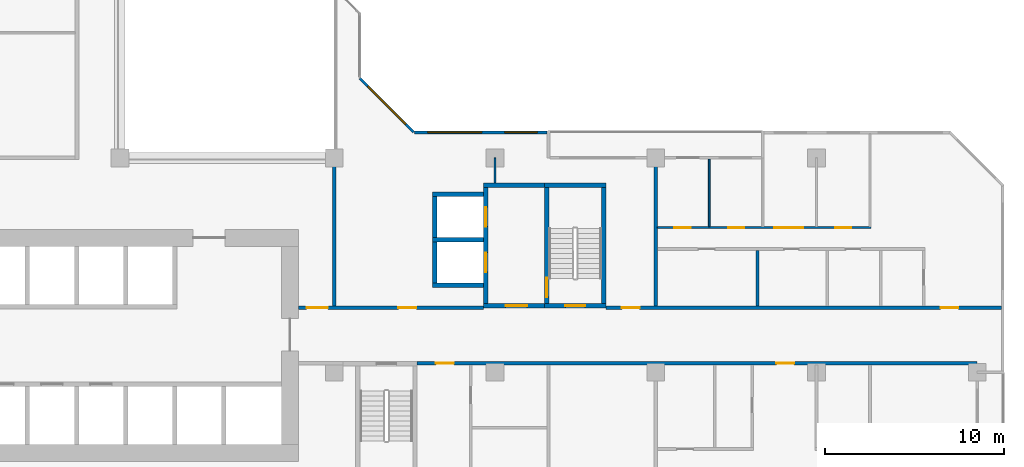
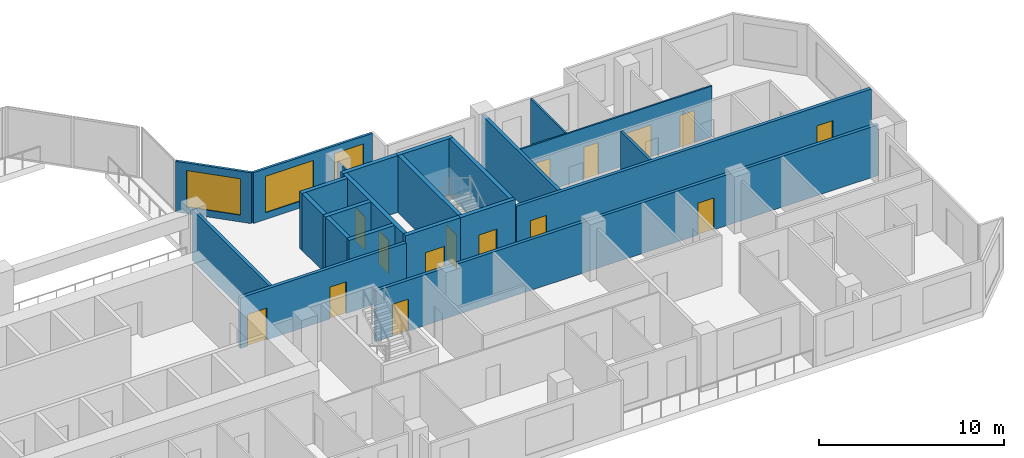
# One storey, part 7 of 15: 23 walls, 15 doors, 3 windows, 18 openings.
"""IFC4 building model written with IfcOpenShell, lengths in metres."""

from ifc_helpers import new_model, si_unit, direction, frame, frame_2d, origin, place, context, subcontext, project, spatial, rectangle, extrude, material, layer, layer_set, type_object, element, fill, save


model = new_model("IFC4")

# Units and contexts
model_context = context("Model", 3, precision=1e-05, world=origin(), true_north=direction((0.0, 1.0)))
body_context = subcontext(model_context, "Body", "Model", "MODEL_VIEW")
ifc_project = project(units=[si_unit("LENGTHUNIT", "METRE"), si_unit("AREAUNIT", "SQUARE_METRE"), si_unit("VOLUMEUNIT", "CUBIC_METRE"), si_unit("PLANEANGLEUNIT", "RADIAN"), si_unit("MASSUNIT", "GRAM", prefix="KILO")], contexts=[model_context])

# Site, building, storey
site_placement = place(None, origin())
site = spatial("IfcSite", under=ifc_project, at=site_placement, CompositionType="ELEMENT")
building_placement = place(site_placement, origin())
building = spatial("IfcBuilding", under=site, at=building_placement, Name="Chenar Terraces", CompositionType="ELEMENT")
storey_placement = place(building_placement, frame((0.0, 0.0, 125.64990234375)))
storey = spatial("IfcBuildingStorey", under=building, at=storey_placement, Name="L29", CompositionType="ELEMENT", Elevation=125.64990234375)

# Wall, opening, door
ifc_material_1 = material(Name="Concrete C70/85", Category="concrete")
ifc_layer_1 = layer(ifc_material_1, 0.25)
ifc_layer_set_1 = layer_set([ifc_layer_1], Name="Concrete C70/85")
wall_type_1 = type_object("IfcWallType", Name="Core wall 250 Concrete C70/85", PredefinedType="SHEAR", material=ifc_layer_set_1)
wall_1_placement = place(storey_placement, frame((47.77490234375, 15.72509765625, 0.0), z_axis=(0.0, 0.0, 1.0), x_axis=(1.0, 0.0, 0.0)))
wall_1 = element("IfcWall", 1, at=wall_1_placement, inside=storey, type_object=wall_type_1, Name="Core wall ST3_S L29", PredefinedType="SHEAR", context=body_context, shape_type="SweptSolid", body=[
    extrude(rectangle(XDim=3.4501953125, YDim=0.25, at=frame_2d((1.72509765625, 0.0))), origin(), (0.0, 0.0, 1.0), 3.75),
])
opening_1_placement = place(wall_1_placement, frame((1.175048828125, 0.0, 0.0)))
opening_1 = element("IfcOpeningElement", 2, at=opening_1_placement, cuts=wall_1, Name="Opening DL29-C8", PredefinedType="OPENING", context=body_context, shape_type="SweptSolid", body=[
    extrude(rectangle(XDim=1.10009765625, YDim=2.199951171875, at=frame_2d((0.550048828125, 1.10009765625))), frame((0.0, 0.135009765625, 0.0), z_axis=(0.0, -1.0, 0.0), x_axis=(1.0, 0.0, 0.0)), (0.0, 0.0, 1.0), 0.27001953125),
])
ifc_material_2 = material(Name="Steel-framed fire-resisting door leaf", Category="steel")
door_type_1 = type_object("IfcDoorType", Name="Stair fire door FD60 1100 x 2200", OperationType="SINGLE_SWING_LEFT", PredefinedType="DOOR", material=ifc_material_2)
door_1_placement = place(opening_1_placement, frame((1.10009765625, 0.0, 0.0), z_axis=(0.0, 0.0, 1.0), x_axis=(-1.0, 0.0, 0.0)))
door_1 = element("IfcDoor", 3, at=door_1_placement, inside=storey, type_object=door_type_1, Name="Stair door DL29-C8", OperationType="SINGLE_SWING_LEFT", OverallHeight=2.199951171875, OverallWidth=1.10009765625, PredefinedType="DOOR", context=body_context, shape_type="SweptSolid", body=[
    extrude(rectangle(XDim=1.10009765625, YDim=2.199951171875, at=frame_2d((0.550048828125, 1.10009765625))), frame((0.0, 0.02490234375, 0.0), z_axis=(0.0, -1.0, 0.0), x_axis=(1.0, 0.0, 0.0)), (0.0, 0.0, 1.0), 0.050048828125),
])
fill(opening_1, door_1)

# Wall
wall_2_placement = place(storey_placement, frame((47.77490234375, 22.47509765625, 0.0), z_axis=(0.0, 0.0, 1.0), x_axis=(1.0, 0.0, 0.0)))
element("IfcWall", 4, at=wall_2_placement, inside=storey, type_object=wall_type_1, Name="Core wall ST3_N L29", PredefinedType="SHEAR", context=body_context, shape_type="SweptSolid", body=[
    extrude(rectangle(XDim=3.4501953125, YDim=0.25, at=frame_2d((1.72509765625, 0.0))), origin(), (0.0, 0.0, 1.0), 3.75),
])

# Wall, opening, door
wall_3_placement = place(storey_placement, frame((47.89990234375, 15.85009765625, 0.0), z_axis=(0.0, 0.0, 1.0), x_axis=(0.0, 1.0, 0.0)))
wall_3 = element("IfcWall", 5, at=wall_3_placement, inside=storey, type_object=wall_type_1, Name="Core wall ST3_W L29", PredefinedType="SHEAR", context=body_context, shape_type="SweptSolid", body=[
    extrude(rectangle(XDim=6.5, YDim=0.25, at=frame_2d((3.25, 0.0))), origin(), (0.0, 0.0, 1.0), 3.75),
])
opening_2_placement = place(wall_3_placement, frame((0.35009765625, 0.0, 0.0)))
opening_2 = element("IfcOpeningElement", 6, at=opening_2_placement, cuts=wall_3, Name="Opening DL29-C11", PredefinedType="OPENING", context=body_context, shape_type="SweptSolid", body=[
    extrude(rectangle(XDim=1.10009765625, YDim=2.199951171875, at=frame_2d((0.550048828125, 1.10009765625))), frame((0.0, 0.135009765625, 0.0), z_axis=(0.0, -1.0, 0.0), x_axis=(1.0, 0.0, 0.0)), (0.0, 0.0, 1.0), 0.27001953125),
])
door_2_placement = place(opening_2_placement, frame((1.10009765625, 0.0, 0.0), z_axis=(0.0, 0.0, 1.0), x_axis=(-1.0, 0.0, 0.0)))
door_2 = element("IfcDoor", 7, at=door_2_placement, inside=storey, type_object=door_type_1, Name="Stair door DL29-C11", OperationType="SINGLE_SWING_RIGHT", OverallHeight=2.199951171875, OverallWidth=1.10009765625, PredefinedType="DOOR", context=body_context, shape_type="SweptSolid", body=[
    extrude(rectangle(XDim=1.10009765625, YDim=2.199951171875, at=frame_2d((0.550048828125, 1.10009765625))), frame((0.0, 0.02490234375, 0.0), z_axis=(0.0, -1.0, 0.0), x_axis=(1.0, 0.0, 0.0)), (0.0, 0.0, 1.0), 0.050048828125),
])
fill(opening_2, door_2)

# Wall
wall_4_placement = place(storey_placement, frame((51.10009765625, 15.85009765625, 0.0), z_axis=(0.0, 0.0, 1.0), x_axis=(0.0, 1.0, 0.0)))
element("IfcWall", 8, at=wall_4_placement, inside=storey, type_object=wall_type_1, Name="Core wall ST3_E L29", PredefinedType="SHEAR", context=body_context, shape_type="SweptSolid", body=[
    extrude(rectangle(XDim=6.5, YDim=0.25, at=frame_2d((3.25, 0.0))), origin(), (0.0, 0.0, 1.0), 3.75),
])

# Wall, opening, door
wall_5_placement = place(storey_placement, frame((44.35009765625, 15.72509765625, 0.0), z_axis=(0.0, 0.0, 1.0), x_axis=(1.0, 0.0, 0.0)))
wall_5 = element("IfcWall", 9, at=wall_5_placement, inside=storey, type_object=wall_type_1, Name="Core wall F3_LS L29", PredefinedType="SHEAR", context=body_context, shape_type="SweptSolid", body=[
    extrude(rectangle(XDim=3.4248046875, YDim=0.25, at=frame_2d((1.71240234375, 0.0))), origin(), (0.0, 0.0, 1.0), 3.75),
])
opening_3_placement = place(wall_5_placement, frame((1.25, 0.0, 0.0)))
opening_3 = element("IfcOpeningElement", 10, at=opening_3_placement, cuts=wall_5, Name="Opening DL29-C10", PredefinedType="OPENING", context=body_context, shape_type="SweptSolid", body=[
    extrude(rectangle(XDim=1.199951171875, YDim=2.199951171875, at=frame_2d((0.60009765625, 1.10009765625))), frame((0.0, 0.135009765625, 0.0), z_axis=(0.0, -1.0, 0.0), x_axis=(1.0, 0.0, 0.0)), (0.0, 0.0, 1.0), 0.27001953125),
])
ifc_material_3 = material(Name="Steel-framed fire-resisting door leaf", Category="steel")
door_type_2 = type_object("IfcDoorType", Name="Lobby fire door FD60 1200 x 2200", OperationType="SINGLE_SWING_LEFT", PredefinedType="DOOR", material=ifc_material_3)
door_3_placement = place(opening_3_placement, origin())
door_3 = element("IfcDoor", 11, at=door_3_placement, inside=storey, type_object=door_type_2, Name="Core door DL29-C10", OperationType="SINGLE_SWING_RIGHT", OverallHeight=2.199951171875, OverallWidth=1.199951171875, PredefinedType="DOOR", context=body_context, shape_type="SweptSolid", body=[
    extrude(rectangle(XDim=1.199951171875, YDim=2.199951171875, at=frame_2d((0.60009765625, 1.10009765625))), frame((0.0, 0.02490234375, 0.0), z_axis=(0.0, -1.0, 0.0), x_axis=(1.0, 0.0, 0.0)), (0.0, 0.0, 1.0), 0.050048828125),
])
fill(opening_3, door_3)

# Wall
wall_6_placement = place(storey_placement, frame((44.35009765625, 22.47509765625, 0.0), z_axis=(0.0, 0.0, 1.0), x_axis=(1.0, 0.0, 0.0)))
element("IfcWall", 12, at=wall_6_placement, inside=storey, type_object=wall_type_1, Name="Core wall F3_LN L29", PredefinedType="SHEAR", context=body_context, shape_type="SweptSolid", body=[
    extrude(rectangle(XDim=3.4248046875, YDim=0.25, at=frame_2d((1.71240234375, 0.0))), origin(), (0.0, 0.0, 1.0), 3.75),
])

# Wall, openings, doors
wall_7_placement = place(storey_placement, frame((44.47509765625, 15.85009765625, 0.0), z_axis=(0.0, 0.0, 1.0), x_axis=(0.0, 1.0, 0.0)))
wall_7 = element("IfcWall", 13, at=wall_7_placement, inside=storey, type_object=wall_type_1, Name="Core wall F3_LW L29", PredefinedType="SHEAR", context=body_context, shape_type="SweptSolid", body=[
    extrude(rectangle(XDim=6.5, YDim=0.25, at=frame_2d((3.25, 0.0))), origin(), (0.0, 0.0, 1.0), 3.75),
])
opening_4_placement = place(wall_7_placement, frame((1.75, 0.0, 0.0)))
opening_4 = element("IfcOpeningElement", 14, at=opening_4_placement, cuts=wall_7, Name="Opening DL29-LD8", PredefinedType="OPENING", context=body_context, shape_type="SweptSolid", body=[
    extrude(rectangle(XDim=1.10009765625, YDim=2.199951171875, at=frame_2d((0.550048828125, 1.10009765625))), frame((0.0, 0.135009765625, 0.0), z_axis=(0.0, -1.0, 0.0), x_axis=(1.0, 0.0, 0.0)), (0.0, 0.0, 1.0), 0.27001953125),
])
opening_5_placement = place(wall_7_placement, frame((4.300048828125, 0.0, 0.0)))
opening_5 = element("IfcOpeningElement", 15, at=opening_5_placement, cuts=wall_7, Name="Opening DL29-LD9", PredefinedType="OPENING", context=body_context, shape_type="SweptSolid", body=[
    extrude(rectangle(XDim=1.10009765625, YDim=2.199951171875, at=frame_2d((0.550048828125, 1.10009765625))), frame((0.0, 0.135009765625, 0.0), z_axis=(0.0, -1.0, 0.0), x_axis=(1.0, 0.0, 0.0)), (0.0, 0.0, 1.0), 0.27001953125),
])
ifc_material_4 = material(Name="Stainless steel", Category="steel")
door_type_3 = type_object("IfcDoorType", Name="Lift landing door 1100 x 2200 sliding", OperationType="DOUBLE_DOOR_SLIDING", PredefinedType="DOOR", material=ifc_material_4)
door_4_placement = place(opening_4_placement, origin())
door_4 = element("IfcDoor", 16, at=door_4_placement, inside=storey, type_object=door_type_3, Name="Landing door F3", OperationType="DOUBLE_DOOR_SLIDING", OverallHeight=2.199951171875, OverallWidth=1.10009765625, PredefinedType="DOOR", context=body_context, shape_type="SweptSolid", body=[
    extrude(rectangle(XDim=1.10009765625, YDim=2.199951171875, at=frame_2d((0.550048828125, 1.10009765625))), frame((0.0, 0.02490234375, 0.0), z_axis=(0.0, -1.0, 0.0), x_axis=(1.0, 0.0, 0.0)), (0.0, 0.0, 1.0), 0.050048828125),
])
fill(opening_4, door_4)
door_5_placement = place(opening_5_placement, origin())
door_5 = element("IfcDoor", 17, at=door_5_placement, inside=storey, type_object=door_type_3, Name="Landing door F4", OperationType="DOUBLE_DOOR_SLIDING", OverallHeight=2.199951171875, OverallWidth=1.10009765625, PredefinedType="DOOR", context=body_context, shape_type="SweptSolid", body=[
    extrude(rectangle(XDim=1.10009765625, YDim=2.199951171875, at=frame_2d((0.550048828125, 1.10009765625))), frame((0.0, 0.02490234375, 0.0), z_axis=(0.0, -1.0, 0.0), x_axis=(1.0, 0.0, 0.0)), (0.0, 0.0, 1.0), 0.050048828125),
])
fill(opening_5, door_5)

# Walls
for number, where, z_axis, x_axis, name in (
    (18, (41.5, 16.875, 0.0), (0.0, 0.0, 1.0), (1.0, 0.0, 0.0), "Core wall F3_SS L29"),
    (19, (41.5, 19.425048828125, 0.0), (0.0, 0.0, 1.0), (1.0, 0.0, 0.0), "Core wall F3_SM L29"),
    (20, (41.5, 21.97509765625, 0.0), (0.0, 0.0, 1.0), (1.0, 0.0, 0.0), "Core wall F4_SN L29"),
):
    element("IfcWall", number, at=place(storey_placement, frame(where, z_axis=z_axis, x_axis=x_axis)), inside=storey, type_object=wall_type_1, Name=name, PredefinedType="SHEAR", context=body_context, shape_type="SweptSolid", body=[
        extrude(rectangle(XDim=2.85009765625, YDim=0.25, at=frame_2d((1.425048828125, 0.0))), origin(), (0.0, 0.0, 1.0), 3.75),
    ])
for number, where, z_axis, x_axis, name in (
    (21, (41.625, 17.0, 0.0), (0.0, 0.0, 1.0), (0.0, 1.0, 0.0), "Core wall F3_SW L29"),
    (22, (41.625, 19.550048828125, 0.0), (0.0, 0.0, 1.0), (0.0, 1.0, 0.0), "Core wall F4_SW L29"),
):
    element("IfcWall", number, at=place(storey_placement, frame(where, z_axis=z_axis, x_axis=x_axis)), inside=storey, type_object=wall_type_1, Name=name, PredefinedType="SHEAR", context=body_context, shape_type="SweptSolid", body=[
        extrude(rectangle(XDim=2.300048828125, YDim=0.25, at=frame_2d((1.14990234375, 0.0))), origin(), (0.0, 0.0, 1.0), 3.75),
    ])

# Wall, openings, doors
ifc_material_5 = material(Name="Gypsum board on steel studs with fire boards", Category="steel")
ifc_layer_2 = layer(ifc_material_5, 0.199951171875)
ifc_layer_set_2 = layer_set([ifc_layer_2], Name="Gypsum board on steel studs with fire boards")
wall_type_2 = type_object("IfcWallType", Name="Corridor wall 200", PredefinedType="PARTITIONING", material=ifc_layer_set_2)
wall_8_placement = place(storey_placement, frame((34.0, 15.60009765625, 0.0), z_axis=(0.0, 0.0, 1.0), x_axis=(1.0, 0.0, 0.0)))
wall_8 = element("IfcWall", 23, at=wall_8_placement, inside=storey, type_object=wall_type_2, Name="Partition L29-064", PredefinedType="PARTITIONING", context=body_context, shape_type="SweptSolid", body=[
    extrude(rectangle(XDim=10.35009765625, YDim=0.199951171875, at=frame_2d((5.175048828125, 0.0))), origin(), (0.0, 0.0, 1.0), 3.35009765625),
])
opening_6_placement = place(wall_8_placement, frame((5.60009765625, 0.0, 0.0)))
opening_6 = element("IfcOpeningElement", 24, at=opening_6_placement, cuts=wall_8, Name="Opening DL29-3", PredefinedType="OPENING", context=body_context, shape_type="SweptSolid", body=[
    extrude(rectangle(XDim=1.0, YDim=2.10009765625, at=frame_2d((0.5, 1.050048828125))), frame((0.0, 0.10986328125, 0.0), z_axis=(0.0, -1.0, 0.0), x_axis=(1.0, 0.0, 0.0)), (0.0, 0.0, 1.0), 0.219970703125),
])
opening_7_placement = place(wall_8_placement, frame((0.449951171875, 0.0, 0.0)))
opening_7 = element("IfcOpeningElement", 25, at=opening_7_placement, cuts=wall_8, Name="Opening DL29-49", PredefinedType="OPENING", context=body_context, shape_type="SweptSolid", body=[
    extrude(rectangle(XDim=1.199951171875, YDim=2.10009765625, at=frame_2d((0.60009765625, 1.050048828125))), frame((0.0, 0.10986328125, 0.0), z_axis=(0.0, -1.0, 0.0), x_axis=(1.0, 0.0, 0.0)), (0.0, 0.0, 1.0), 0.219970703125),
])
ifc_material_6 = material(Name="Steel-framed fire-resisting door leaf", Category="steel")
door_type_4 = type_object("IfcDoorType", Name="Fire door FD60 1000 x 2100", OperationType="SINGLE_SWING_LEFT", PredefinedType="DOOR", material=ifc_material_6)
door_6_placement = place(opening_6_placement, origin())
door_6 = element("IfcDoor", 26, at=door_6_placement, inside=storey, type_object=door_type_4, Name="Door DL29-3", OperationType="SINGLE_SWING_RIGHT", OverallHeight=2.10009765625, OverallWidth=1.0, PredefinedType="DOOR", context=body_context, shape_type="SweptSolid", body=[
    extrude(rectangle(XDim=1.0, YDim=2.10009765625, at=frame_2d((0.5, 1.050048828125))), frame((0.0, 0.02490234375, 0.0), z_axis=(0.0, -1.0, 0.0), x_axis=(1.0, 0.0, 0.0)), (0.0, 0.0, 1.0), 0.050048828125),
])
fill(opening_6, door_6)
ifc_material_7 = material(Name="Steel-framed fire-resisting door leaf", Category="steel")
door_type_5 = type_object("IfcDoorType", Name="Fire door FD60 1200 x 2100", OperationType="SINGLE_SWING_LEFT", PredefinedType="DOOR", material=ifc_material_7)
door_7_placement = place(opening_7_placement, origin())
door_7 = element("IfcDoor", 27, at=door_7_placement, inside=storey, type_object=door_type_5, Name="Door DL29-49", OperationType="SINGLE_SWING_RIGHT", OverallHeight=2.10009765625, OverallWidth=1.199951171875, PredefinedType="DOOR", context=body_context, shape_type="SweptSolid", body=[
    extrude(rectangle(XDim=1.199951171875, YDim=2.10009765625, at=frame_2d((0.60009765625, 1.050048828125))), frame((0.0, 0.02490234375, 0.0), z_axis=(0.0, -1.0, 0.0), x_axis=(1.0, 0.0, 0.0)), (0.0, 0.0, 1.0), 0.050048828125),
])
fill(opening_7, door_7)

# Wall
wall_9_placement = place(storey_placement, frame((36.0, 15.699951171875, 0.0), z_axis=(0.0, 0.0, 1.0), x_axis=(0.0, 1.0, 0.0)))
element("IfcWall", 28, at=wall_9_placement, inside=storey, type_object=wall_type_2, Name="Partition L29-066", PredefinedType="PARTITIONING", context=body_context, shape_type="SweptSolid", body=[
    extrude(rectangle(XDim=8.300048828125, YDim=0.199951171875, at=frame_2d((4.14990234375, 0.0))), origin(), (0.0, 0.0, 1.0), 3.35009765625),
])

# Wall, openings, doors
wall_10_placement = place(storey_placement, frame((40.64990234375, 12.5, 0.0), z_axis=(0.0, 0.0, 1.0), x_axis=(1.0, 0.0, 0.0)))
wall_10 = element("IfcWall", 29, at=wall_10_placement, inside=storey, type_object=wall_type_2, Name="Partition L29-068", PredefinedType="PARTITIONING", context=body_context, shape_type="SweptSolid", body=[
    extrude(rectangle(XDim=31.35009765625, YDim=0.199951171875, at=frame_2d((15.675048828125, 0.0))), origin(), (0.0, 0.0, 1.0), 3.35009765625),
])
opening_8_placement = place(wall_10_placement, frame((20.10009765625, 0.0, 0.0)))
opening_8 = element("IfcOpeningElement", 30, at=opening_8_placement, cuts=wall_10, Name="Opening DL29-17", PredefinedType="OPENING", context=body_context, shape_type="SweptSolid", body=[
    extrude(rectangle(XDim=1.0, YDim=2.10009765625, at=frame_2d((0.5, 1.050048828125))), frame((0.0, 0.10986328125, 0.0), z_axis=(0.0, -1.0, 0.0), x_axis=(1.0, 0.0, 0.0)), (0.0, 0.0, 1.0), 0.219970703125),
])
opening_9_placement = place(wall_10_placement, frame((1.050048828125, 0.0, 0.0)))
opening_9 = element("IfcOpeningElement", 31, at=opening_9_placement, cuts=wall_10, Name="Opening DL29-66", PredefinedType="OPENING", context=body_context, shape_type="SweptSolid", body=[
    extrude(rectangle(XDim=1.0, YDim=2.10009765625, at=frame_2d((0.5, 1.050048828125))), frame((0.0, 0.10986328125, 0.0), z_axis=(0.0, -1.0, 0.0), x_axis=(1.0, 0.0, 0.0)), (0.0, 0.0, 1.0), 0.219970703125),
])
ifc_material_8 = material(Name="Steel-framed fire-resisting door leaf", Category="steel")
door_type_6 = type_object("IfcDoorType", Name="Fire door FD30S 1000 x 2100", OperationType="SINGLE_SWING_LEFT", PredefinedType="DOOR", material=ifc_material_8)
door_8_placement = place(opening_8_placement, frame((1.0, 0.0, 0.0), z_axis=(0.0, 0.0, 1.0), x_axis=(-1.0, 0.0, 0.0)))
door_8 = element("IfcDoor", 32, at=door_8_placement, inside=storey, type_object=door_type_6, Name="Door DL29-17", OperationType="SINGLE_SWING_LEFT", OverallHeight=2.10009765625, OverallWidth=1.0, PredefinedType="DOOR", context=body_context, shape_type="SweptSolid", body=[
    extrude(rectangle(XDim=1.0, YDim=2.10009765625, at=frame_2d((0.5, 1.050048828125))), frame((0.0, 0.02490234375, 0.0), z_axis=(0.0, -1.0, 0.0), x_axis=(1.0, 0.0, 0.0)), (0.0, 0.0, 1.0), 0.050048828125),
])
fill(opening_8, door_8)
door_9_placement = place(opening_9_placement, origin())
door_9 = element("IfcDoor", 33, at=door_9_placement, inside=storey, type_object=door_type_6, Name="Door DL29-66", OperationType="SINGLE_SWING_RIGHT", OverallHeight=2.10009765625, OverallWidth=1.0, PredefinedType="DOOR", context=body_context, shape_type="SweptSolid", body=[
    extrude(rectangle(XDim=1.0, YDim=2.10009765625, at=frame_2d((0.5, 1.050048828125))), frame((0.0, 0.02490234375, 0.0), z_axis=(0.0, -1.0, 0.0), x_axis=(1.0, 0.0, 0.0)), (0.0, 0.0, 1.0), 0.050048828125),
])
fill(opening_9, door_9)

wall_11_placement = place(storey_placement, frame((51.22509765625, 15.60009765625, 0.0), z_axis=(0.0, 0.0, 1.0), x_axis=(1.0, 0.0, 0.0)))
wall_11 = element("IfcWall", 34, at=wall_11_placement, inside=storey, type_object=wall_type_2, Name="Partition L29-076", PredefinedType="PARTITIONING", context=body_context, shape_type="SweptSolid", body=[
    extrude(rectangle(XDim=22.125, YDim=0.199951171875, at=frame_2d((11.0625, 0.0))), origin(), (0.0, 0.0, 1.0), 3.35009765625),
])
opening_10_placement = place(wall_11_placement, frame((18.72509765625, 0.0, 0.0)))
opening_10 = element("IfcOpeningElement", 35, at=opening_10_placement, cuts=wall_11, Name="Opening DL29-8", PredefinedType="OPENING", context=body_context, shape_type="SweptSolid", body=[
    extrude(rectangle(XDim=1.0, YDim=2.10009765625, at=frame_2d((0.5, 1.050048828125))), frame((0.0, 0.10986328125, 0.0), z_axis=(0.0, -1.0, 0.0), x_axis=(1.0, 0.0, 0.0)), (0.0, 0.0, 1.0), 0.219970703125),
])
opening_11_placement = place(wall_11_placement, frame((0.875, 0.0, 0.0)))
opening_11 = element("IfcOpeningElement", 36, at=opening_11_placement, cuts=wall_11, Name="Opening DL29-52", PredefinedType="OPENING", context=body_context, shape_type="SweptSolid", body=[
    extrude(rectangle(XDim=1.0, YDim=2.10009765625, at=frame_2d((0.5, 1.050048828125))), frame((0.0, 0.10986328125, 0.0), z_axis=(0.0, -1.0, 0.0), x_axis=(1.0, 0.0, 0.0)), (0.0, 0.0, 1.0), 0.219970703125),
])
door_10_placement = place(opening_10_placement, origin())
door_10 = element("IfcDoor", 37, at=door_10_placement, inside=storey, type_object=door_type_6, Name="Door DL29-8", OperationType="SINGLE_SWING_LEFT", OverallHeight=2.10009765625, OverallWidth=1.0, PredefinedType="DOOR", context=body_context, shape_type="SweptSolid", body=[
    extrude(rectangle(XDim=1.0, YDim=2.10009765625, at=frame_2d((0.5, 1.050048828125))), frame((0.0, 0.02490234375, 0.0), z_axis=(0.0, -1.0, 0.0), x_axis=(1.0, 0.0, 0.0)), (0.0, 0.0, 1.0), 0.050048828125),
])
fill(opening_10, door_10)
door_11_placement = place(opening_11_placement, origin())
door_11 = element("IfcDoor", 38, at=door_11_placement, inside=storey, type_object=door_type_6, Name="Door DL29-52", OperationType="SINGLE_SWING_RIGHT", OverallHeight=2.10009765625, OverallWidth=1.0, PredefinedType="DOOR", context=body_context, shape_type="SweptSolid", body=[
    extrude(rectangle(XDim=1.0, YDim=2.10009765625, at=frame_2d((0.5, 1.050048828125))), frame((0.0, 0.02490234375, 0.0), z_axis=(0.0, -1.0, 0.0), x_axis=(1.0, 0.0, 0.0)), (0.0, 0.0, 1.0), 0.050048828125),
])
fill(opening_11, door_11)

# Wall, openings, windows
ifc_material_9 = material(Name="Aluminium framed glazing", Category="aluminium")
ifc_layer_3 = layer(ifc_material_9, 0.14990234375)
ifc_layer_set_3 = layer_set([ifc_layer_3], Name="Aluminium framed glazing")
wall_type_3 = type_object("IfcWallType", Name="Glazed flush facade wall 150", PredefinedType="SOLIDWALL", material=ifc_layer_set_3)
wall_12_placement = place(storey_placement, frame((47.925048828125, 25.425048828125, 0.0), z_axis=(0.0, 0.0, 1.0), x_axis=(-1.0, 0.0, 0.0)))
wall_12 = element("IfcWall", 39, at=wall_12_placement, inside=storey, type_object=wall_type_3, Name="Glazed flush facade wall", PredefinedType="SOLIDWALL", context=body_context, shape_type="SweptSolid", body=[
    extrude(rectangle(XDim=7.425048828125, YDim=0.14990234375, at=frame_2d((3.71240234375, 0.0))), origin(), (0.0, 0.0, 1.0), 3.35009765625),
])
opening_12_placement = place(wall_12_placement, frame((0.5625, 0.0, 0.449951171875)))
opening_12 = element("IfcOpeningElement", 40, at=opening_12_placement, cuts=wall_12, Name="Opening W180x240", PredefinedType="OPENING", context=body_context, shape_type="SweptSolid", body=[
    extrude(rectangle(XDim=1.800048828125, YDim=2.39990234375, at=frame_2d((0.89990234375, 1.199951171875))), frame((0.0, 0.0849609375, 0.0), z_axis=(0.0, -1.0, 0.0), x_axis=(1.0, 0.0, 0.0)), (0.0, 0.0, 1.0), 0.169921875),
])
opening_13_placement = place(wall_12_placement, frame((3.675048828125, 0.0, 0.449951171875)))
opening_13 = element("IfcOpeningElement", 41, at=opening_13_placement, cuts=wall_12, Name="Opening W300x240", PredefinedType="OPENING", context=body_context, shape_type="SweptSolid", body=[
    extrude(rectangle(XDim=3.0, YDim=2.39990234375, at=frame_2d((1.5, 1.199951171875))), frame((0.0, 0.0849609375, 0.0), z_axis=(0.0, -1.0, 0.0), x_axis=(1.0, 0.0, 0.0)), (0.0, 0.0, 1.0), 0.169921875),
])
ifc_material_10 = material(Name="Low emissivity double glazing, aluminium frame", Category="aluminium")
window_type_1 = type_object("IfcWindowType", Name="Fixed light 1800 x 2400", PartitioningType="SINGLE_PANEL", PredefinedType="WINDOW", material=ifc_material_10)
window_1_placement = place(opening_12_placement, origin())
window_1 = element("IfcWindow", 42, at=window_1_placement, inside=storey, type_object=window_type_1, Name="Window", OverallHeight=2.39990234375, OverallWidth=1.800048828125, PartitioningType="SINGLE_PANEL", PredefinedType="WINDOW", context=body_context, shape_type="SweptSolid", body=[
    extrude(rectangle(XDim=1.800048828125, YDim=2.39990234375, at=frame_2d((0.89990234375, 1.199951171875))), frame((0.0, 0.030029296875, 0.0), z_axis=(0.0, -1.0, 0.0), x_axis=(1.0, 0.0, 0.0)), (0.0, 0.0, 1.0), 0.06005859375),
])
fill(opening_12, window_1)
ifc_material_11 = material(Name="Low emissivity double glazing, aluminium frame", Category="aluminium")
window_type_2 = type_object("IfcWindowType", Name="Fixed light 3000 x 2400", PartitioningType="SINGLE_PANEL", PredefinedType="WINDOW", material=ifc_material_11)
window_2_placement = place(opening_13_placement, origin())
window_2 = element("IfcWindow", 43, at=window_2_placement, inside=storey, type_object=window_type_2, Name="Window", OverallHeight=2.39990234375, OverallWidth=3.0, PartitioningType="SINGLE_PANEL", PredefinedType="WINDOW", context=body_context, shape_type="SweptSolid", body=[
    extrude(rectangle(XDim=3.0, YDim=2.39990234375, at=frame_2d((1.5, 1.199951171875))), frame((0.0, 0.030029296875, 0.0), z_axis=(0.0, -1.0, 0.0), x_axis=(1.0, 0.0, 0.0)), (0.0, 0.0, 1.0), 0.06005859375),
])
fill(opening_13, window_2)

# Wall
ifc_material_12 = material(Name="Gypsum board on steel studs", Category="steel")
ifc_layer_4 = layer(ifc_material_12, 0.10009765625)
ifc_layer_set_4 = layer_set([ifc_layer_4], Name="Gypsum board on steel studs")
wall_type_4 = type_object("IfcWallType", Name="Gypsum partition 100", PredefinedType="PARTITIONING", material=ifc_layer_set_4)
wall_13_placement = place(storey_placement, frame((45.0, 22.60009765625, 0.0), z_axis=(0.0, 0.0, 1.0), x_axis=(0.0, 1.0, 0.0)))
element("IfcWall", 44, at=wall_13_placement, inside=storey, type_object=wall_type_4, Name="Partition L29-072", PredefinedType="PARTITIONING", context=body_context, shape_type="SweptSolid", body=[
    extrude(rectangle(XDim=1.39990234375, YDim=0.10009765625, at=frame_2d((0.699951171875, 0.0))), origin(), (0.0, 0.0, 1.0), 3.35009765625),
])

# Wall, openings, doors
wall_14_placement = place(storey_placement, frame((54.10009765625, 20.10009765625, 0.0), z_axis=(0.0, 0.0, 1.0), x_axis=(1.0, 0.0, 0.0)))
wall_14 = element("IfcWall", 45, at=wall_14_placement, inside=storey, type_object=wall_type_4, Name="Partition L29-081", PredefinedType="PARTITIONING", context=body_context, shape_type="SweptSolid", body=[
    extrude(rectangle(XDim=11.949951171875, YDim=0.10009765625, at=frame_2d((5.97509765625, 0.0))), origin(), (0.0, 0.0, 1.0), 3.35009765625),
])
opening_14_placement = place(wall_14_placement, frame((0.949951171875, 0.0, 0.0)))
opening_14 = element("IfcOpeningElement", 46, at=opening_14_placement, cuts=wall_14, Name="Opening DL29-5", PredefinedType="OPENING", context=body_context, shape_type="SweptSolid", body=[
    extrude(rectangle(XDim=0.89990234375, YDim=2.10009765625, at=frame_2d((0.449951171875, 1.050048828125))), frame((0.0, 0.06005859375, 0.0), z_axis=(0.0, -1.0, 0.0), x_axis=(1.0, 0.0, 0.0)), (0.0, 0.0, 1.0), 0.1201171875),
])
opening_15_placement = place(wall_14_placement, frame((3.949951171875, 0.0, 0.0)))
opening_15 = element("IfcOpeningElement", 47, at=opening_15_placement, cuts=wall_14, Name="Opening DL29-6", PredefinedType="OPENING", context=body_context, shape_type="SweptSolid", body=[
    extrude(rectangle(XDim=0.89990234375, YDim=2.10009765625, at=frame_2d((0.449951171875, 1.050048828125))), frame((0.0, 0.06005859375, 0.0), z_axis=(0.0, -1.0, 0.0), x_axis=(1.0, 0.0, 0.0)), (0.0, 0.0, 1.0), 0.1201171875),
])
opening_16_placement = place(wall_14_placement, frame((6.550048828125, 0.0, 0.0)))
opening_16 = element("IfcOpeningElement", 48, at=opening_16_placement, cuts=wall_14, Name="Opening DL29-9", PredefinedType="OPENING", context=body_context, shape_type="SweptSolid", body=[
    extrude(rectangle(XDim=1.60009765625, YDim=2.10009765625, at=frame_2d((0.800048828125, 1.050048828125))), frame((0.0, 0.06005859375, 0.0), z_axis=(0.0, -1.0, 0.0), x_axis=(1.0, 0.0, 0.0)), (0.0, 0.0, 1.0), 0.1201171875),
])
opening_17_placement = place(wall_14_placement, frame((9.949951171875, 0.0, 0.0)))
opening_17 = element("IfcOpeningElement", 49, at=opening_17_placement, cuts=wall_14, Name="Opening DL29-10", PredefinedType="OPENING", context=body_context, shape_type="SweptSolid", body=[
    extrude(rectangle(XDim=0.89990234375, YDim=2.10009765625, at=frame_2d((0.449951171875, 1.050048828125))), frame((0.0, 0.06005859375, 0.0), z_axis=(0.0, -1.0, 0.0), x_axis=(1.0, 0.0, 0.0)), (0.0, 0.0, 1.0), 0.1201171875),
])
ifc_material_13 = material(Name="Veneered timber door leaf", Category="wood")
door_type_7 = type_object("IfcDoorType", Name="Door 900 x 2100", OperationType="SINGLE_SWING_LEFT", PredefinedType="DOOR", material=ifc_material_13)
door_12_placement = place(opening_14_placement, origin())
door_12 = element("IfcDoor", 50, at=door_12_placement, inside=storey, type_object=door_type_7, Name="Door DL29-5", OperationType="SINGLE_SWING_RIGHT", OverallHeight=2.10009765625, OverallWidth=0.89990234375, PredefinedType="DOOR", context=body_context, shape_type="SweptSolid", body=[
    extrude(rectangle(XDim=0.89990234375, YDim=2.10009765625, at=frame_2d((0.449951171875, 1.050048828125))), frame((0.0, 0.02490234375, 0.0), z_axis=(0.0, -1.0, 0.0), x_axis=(1.0, 0.0, 0.0)), (0.0, 0.0, 1.0), 0.050048828125),
])
fill(opening_14, door_12)
door_13_placement = place(opening_15_placement, origin())
door_13 = element("IfcDoor", 51, at=door_13_placement, inside=storey, type_object=door_type_7, Name="Door DL29-6", OperationType="SINGLE_SWING_RIGHT", OverallHeight=2.10009765625, OverallWidth=0.89990234375, PredefinedType="DOOR", context=body_context, shape_type="SweptSolid", body=[
    extrude(rectangle(XDim=0.89990234375, YDim=2.10009765625, at=frame_2d((0.449951171875, 1.050048828125))), frame((0.0, 0.02490234375, 0.0), z_axis=(0.0, -1.0, 0.0), x_axis=(1.0, 0.0, 0.0)), (0.0, 0.0, 1.0), 0.050048828125),
])
fill(opening_15, door_13)
door_14_placement = place(opening_17_placement, origin())
door_14 = element("IfcDoor", 52, at=door_14_placement, inside=storey, type_object=door_type_7, Name="Door DL29-10", OperationType="SINGLE_SWING_RIGHT", OverallHeight=2.10009765625, OverallWidth=0.89990234375, PredefinedType="DOOR", context=body_context, shape_type="SweptSolid", body=[
    extrude(rectangle(XDim=0.89990234375, YDim=2.10009765625, at=frame_2d((0.449951171875, 1.050048828125))), frame((0.0, 0.02490234375, 0.0), z_axis=(0.0, -1.0, 0.0), x_axis=(1.0, 0.0, 0.0)), (0.0, 0.0, 1.0), 0.050048828125),
])
fill(opening_17, door_14)
ifc_material_14 = material(Name="Veneered timber door leaf", Category="wood")
door_type_8 = type_object("IfcDoorType", Name="Double door 1600 x 2100", OperationType="DOUBLE_DOOR_SINGLE_SWING", PredefinedType="DOOR", material=ifc_material_14)
door_15_placement = place(opening_16_placement, origin())
door_15 = element("IfcDoor", 53, at=door_15_placement, inside=storey, type_object=door_type_8, Name="Door DL29-9", OperationType="DOUBLE_DOOR_SINGLE_SWING", OverallHeight=2.10009765625, OverallWidth=1.60009765625, PredefinedType="DOOR", context=body_context, shape_type="SweptSolid", body=[
    extrude(rectangle(XDim=1.60009765625, YDim=2.10009765625, at=frame_2d((0.800048828125, 1.050048828125))), frame((0.0, 0.02490234375, 0.0), z_axis=(0.0, -1.0, 0.0), x_axis=(1.0, 0.0, 0.0)), (0.0, 0.0, 1.0), 0.050048828125),
])
fill(opening_16, door_15)

# Wall
wall_15_placement = place(storey_placement, frame((57.0, 20.14990234375, 0.0), z_axis=(0.0, 0.0, 1.0), x_axis=(0.0, 1.0, 0.0)))
element("IfcWall", 54, at=wall_15_placement, inside=storey, type_object=wall_type_4, Name="Partition L29-082", PredefinedType="PARTITIONING", context=body_context, shape_type="SweptSolid", body=[
    extrude(rectangle(XDim=3.776123046875, YDim=0.10009765625, at=frame_2d((1.88818359375, 0.0))), origin(), (0.0, 0.0, 1.0), 3.35009765625),
])

# Wall, opening, window
ifc_material_15 = material(Name="Terracotta cladding on insulated backing", Category="masonry")
ifc_layer_5 = layer(ifc_material_15, 0.14990234375)
ifc_layer_set_5 = layer_set([ifc_layer_5], Name="Terracotta cladding on insulated backing")
wall_type_5 = type_object("IfcWallType", Name="Terracotta rainscreen wall 150", PredefinedType="SOLIDWALL", material=ifc_layer_set_5)
wall_16_placement = place(storey_placement, frame((40.447021484375, 25.447021484375, 0.0), z_axis=(0.0, 0.0, 1.0), x_axis=(-0.707106781187, 0.707106781187, 0.0)))
wall_16 = element("IfcWall", 55, at=wall_16_placement, inside=storey, type_object=wall_type_5, Name="Terracotta rainscreen wall", PredefinedType="SOLIDWALL", context=body_context, shape_type="SweptSolid", body=[
    extrude(rectangle(XDim=4.24267578125, YDim=0.14990234375, at=frame_2d((2.121337890625, 0.0))), origin(), (0.0, 0.0, 1.0), 3.35009765625),
])
opening_18_placement = place(wall_16_placement, frame((0.621337890625, 0.0, 0.449951171875)))
opening_18 = element("IfcOpeningElement", 56, at=opening_18_placement, cuts=wall_16, Name="Opening W300x240", PredefinedType="OPENING", context=body_context, shape_type="SweptSolid", body=[
    extrude(rectangle(XDim=3.0, YDim=2.39990234375, at=frame_2d((1.5, 1.199951171875))), frame((0.0, 0.0849609375, 0.0), z_axis=(0.0, -1.0, 0.0), x_axis=(1.0, 0.0, 0.0)), (0.0, 0.0, 1.0), 0.169921875),
])
window_3_placement = place(opening_18_placement, origin())
window_3 = element("IfcWindow", 57, at=window_3_placement, inside=storey, type_object=window_type_2, Name="Window", OverallHeight=2.39990234375, OverallWidth=3.0, PartitioningType="SINGLE_PANEL", PredefinedType="WINDOW", context=body_context, shape_type="SweptSolid", body=[
    extrude(rectangle(XDim=3.0, YDim=2.39990234375, at=frame_2d((1.5, 1.199951171875))), frame((0.0, 0.030029296875, 0.0), z_axis=(0.0, -1.0, 0.0), x_axis=(1.0, 0.0, 0.0)), (0.0, 0.0, 1.0), 0.06005859375),
])
fill(opening_18, window_3)

# Walls
ifc_material_16 = material(Name="Twin gypsum board on steel studs with mineral wool", Category="steel")
ifc_layer_6 = layer(ifc_material_16, 0.199951171875)
ifc_layer_set_6 = layer_set([ifc_layer_6], Name="Twin gypsum board on steel studs with mineral wool")
wall_type_6 = type_object("IfcWallType", Name="Unit demising wall 200", PredefinedType="PARTITIONING", material=ifc_layer_set_6)
wall_17_placement = place(storey_placement, frame((54.0, 15.699951171875, 0.0), z_axis=(0.0, 0.0, 1.0), x_axis=(0.0, 1.0, 0.0)))
element("IfcWall", 58, at=wall_17_placement, inside=storey, type_object=wall_type_6, Name="Partition L29-078", PredefinedType="PARTITIONING", context=body_context, shape_type="SweptSolid", body=[
    extrude(rectangle(XDim=8.22607421875, YDim=0.199951171875, at=frame_2d((4.113037109375, 0.0))), origin(), (0.0, 0.0, 1.0), 3.35009765625),
])
ifc_material_17 = material(Name="Moisture-resistant gypsum board on steel studs", Category="steel")
ifc_layer_7 = layer(ifc_material_17, 0.14990234375)
ifc_layer_set_7 = layer_set([ifc_layer_7], Name="Moisture-resistant gypsum board on steel studs")
wall_type_7 = type_object("IfcWallType", Name="Wet-room partition 150", PredefinedType="PARTITIONING", material=ifc_layer_set_7)
wall_18_placement = place(storey_placement, frame((59.699951171875, 15.699951171875, 0.0), z_axis=(0.0, 0.0, 1.0), x_axis=(0.0, 1.0, 0.0)))
element("IfcWall", 59, at=wall_18_placement, inside=storey, type_object=wall_type_7, Name="Partition L29-085", PredefinedType="PARTITIONING", context=body_context, shape_type="SweptSolid", body=[
    extrude(rectangle(XDim=3.125, YDim=0.14990234375, at=frame_2d((1.5625, 0.0))), origin(), (0.0, 0.0, 1.0), 3.35009765625),
])

save(model, "model.ifc")
